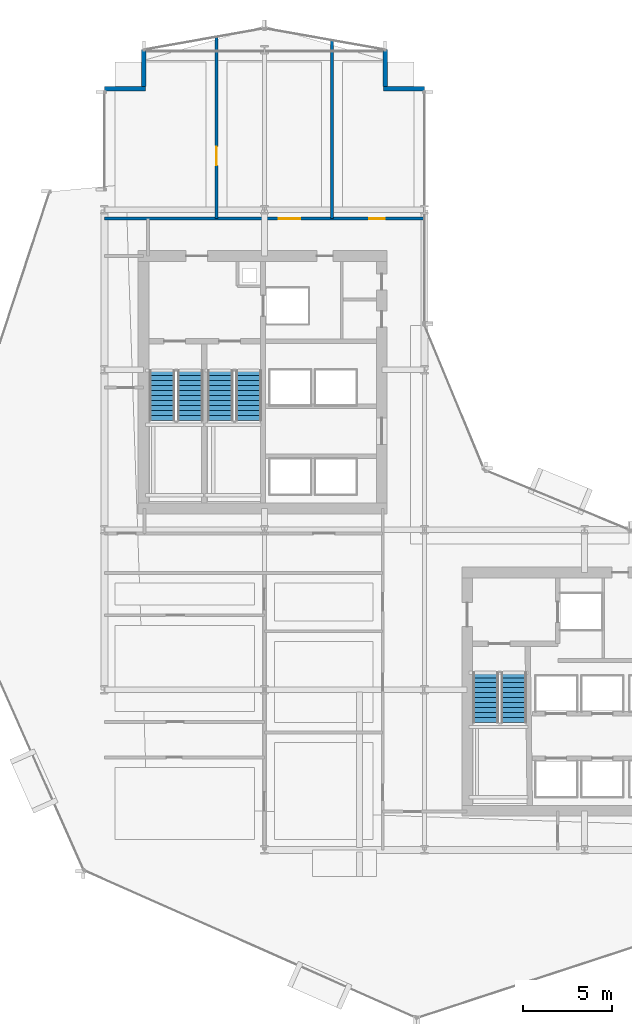
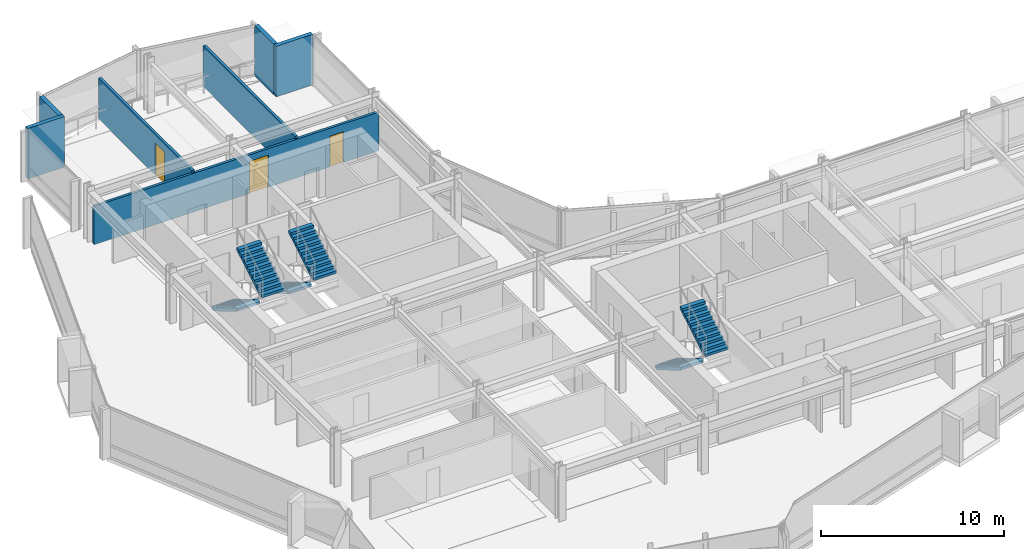
# One storey, part 30 of 35: 7 walls, 6 stair flights, 3 doors, 3 openings, 3 elements without a shape of their own.
"""IFC4 building model written with IfcOpenShell, lengths in metres."""

import ifcopenshell
import ifcopenshell.guid

model = None  # the IFC model being written
_history = None  # IfcOwnerHistory: only IFC2X3 demands one
_inside = {}  # id of a spatial element -> (the spatial element, [elements in it])
_under = {}  # id of a project, library or spatial element -> (it, [spatial elements below it])
_declared = {}  # id of a project -> (the project, [libraries it declares])
_typed = {}  # id of a type object -> (the type object, [elements of that type])
_made_of = {}  # id of a material, layer set ... -> (it, [elements and type objects made of it])


def new_model(schema):
    """Start an empty IFC model of exactly this schema.

    Asked for "IFC4X3", IfcOpenShell would pick the latest addendum, in which some entities
    have other attributes; the version numbers below select the first issue.
    IFC2X3 requires an IfcOwnerHistory on every rooted entity: one is made here for all.
    """
    global model, _history
    if schema == "IFC4X3":
        model = ifcopenshell.file(schema_version=(4, 3, 0, 0))
    else:
        model = ifcopenshell.file(schema=schema)
    _inside.clear()
    _under.clear()
    _declared.clear()
    _typed.clear()
    _made_of.clear()
    _history = None
    if model.schema == "IFC2X3":
        org = make("IfcOrganization", Name="unknown")
        user = make(
            "IfcPersonAndOrganization",
            ThePerson=make("IfcPerson", FamilyName="unknown"),
            TheOrganization=org,
        )
        app = make(
            "IfcApplication",
            ApplicationDeveloper=org,
            Version="unknown",
            ApplicationFullName="unknown",
            ApplicationIdentifier="unknown",
        )
        _history = make(
            "IfcOwnerHistory",
            OwningUser=user,
            OwningApplication=app,
            ChangeAction="ADDED",
            CreationDate=0,
        )
    return model


def make(cls, **values):
    """One entity of the class cls with the attributes given. An attribute that is None is left unset."""
    return model.create_entity(
        cls, **{name: value for name, value in values.items() if value is not None}
    )


def rooted(cls, **values):
    """An entity with a GlobalId (a new one), such as an element, a storey or a relation."""
    return make(cls, GlobalId=ifcopenshell.guid.new(), OwnerHistory=_history, **values)


def si_unit(unit_type, name, prefix=None):
    """IfcSIUnit, for example si_unit("LENGTHUNIT", "METRE", prefix="MILLI")."""
    return make("IfcSIUnit", UnitType=unit_type, Prefix=prefix, Name=name)


def assignment(units):
    """IfcUnitAssignment: the units of a project."""
    return None if units is None else make("IfcUnitAssignment", Units=units)


def point(xyz):
    """IfcCartesianPoint."""
    return None if xyz is None else make("IfcCartesianPoint", Coordinates=xyz)


def direction(xyz):
    """IfcDirection."""
    return None if xyz is None else make("IfcDirection", DirectionRatios=xyz)


def frame(location, z_axis=None, x_axis=None):
    """IfcAxis2Placement3D, a coordinate frame: its origin and axes. An axis left out is left unset."""
    return make(
        "IfcAxis2Placement3D",
        Location=point(location),
        Axis=direction(z_axis),
        RefDirection=direction(x_axis),
    )


def frame_2d(location, x_axis=None):
    """IfcAxis2Placement2D, a coordinate frame in the plane: its origin and x axis."""
    return make(
        "IfcAxis2Placement2D", Location=point(location), RefDirection=direction(x_axis)
    )


def origin():
    """The frame at (0, 0, 0) with its axes left unset."""
    return frame((0.0, 0.0, 0.0))


def place(relative_to, where):
    """IfcLocalPlacement: puts the frame where relative to a parent placement (None: the world)."""
    return make(
        "IfcLocalPlacement", PlacementRelTo=relative_to, RelativePlacement=where
    )


def context(
    kind, dimensions, precision=None, world=None, true_north=None, identifier=None
):
    """IfcGeometricRepresentationContext, for example the 3D "Model" context."""
    return make(
        "IfcGeometricRepresentationContext",
        ContextIdentifier=identifier,
        ContextType=kind,
        CoordinateSpaceDimension=dimensions,
        Precision=precision,
        WorldCoordinateSystem=world,
        TrueNorth=true_north,
    )


def subcontext(parent, identifier, kind, view, scale=None):
    """IfcGeometricRepresentationSubContext, for example "Body" below "Model"."""
    return make(
        "IfcGeometricRepresentationSubContext",
        ContextIdentifier=identifier,
        ContextType=kind,
        ParentContext=parent,
        TargetScale=scale,
        TargetView=view,
    )


def project(units=None, contexts=None):
    """IfcProject with its units and contexts."""
    return rooted(
        "IfcProject",
        Name="project",
        RepresentationContexts=contexts,
        UnitsInContext=assignment(units),
    )


def spatial(cls, under=None, at=None, **own):
    """A site, building, storey or space (cls), placed at a placement, below another one or the project."""
    s = rooted(cls, ObjectPlacement=at, **own)
    if under is not None:
        _under.setdefault(under.id(), (under, []))[1].append(s)
    return s


def polyline(points):
    """IfcPolyline through the points."""
    return make("IfcPolyline", Points=[point(p) for p in points])


def profile(cls, at=None, kind="AREA", **sizes):
    """A parametric profile (cls). Its sizes go by their IFC names, for example OverallWidth=200.0."""
    return make(cls, ProfileType=kind, Position=at, **sizes)


def rectangle(**sizes):
    """IfcRectangleProfileDef."""
    return profile("IfcRectangleProfileDef", **sizes)


def outline(outer, holes=None, kind="AREA"):
    """IfcArbitraryClosedProfileDef: a profile drawn as a closed curve; with holes, ...WithVoids."""
    if holes is None:
        return make("IfcArbitraryClosedProfileDef", ProfileType=kind, OuterCurve=outer)
    return make(
        "IfcArbitraryProfileDefWithVoids",
        ProfileType=kind,
        OuterCurve=outer,
        InnerCurves=holes,
    )


def extrude(swept, where, along, depth):
    """IfcExtrudedAreaSolid: the profile swept, set in the frame where, extruded along a direction by depth."""
    return make(
        "IfcExtrudedAreaSolid",
        SweptArea=swept,
        Position=where,
        ExtrudedDirection=direction(along),
        Depth=depth,
    )


def shape(context_of_items, identifier, shape_type, items):
    """IfcShapeRepresentation: the items that make up one representation, for example the "Body"."""
    return make(
        "IfcShapeRepresentation",
        ContextOfItems=context_of_items,
        RepresentationIdentifier=identifier,
        RepresentationType=shape_type,
        Items=items,
    )


def material(Name=None, Category=None):
    """IfcMaterial."""
    return make("IfcMaterial", Name=Name, Category=Category)


def layer(
    of_material, thickness, ventilated=None, Name=None, Category=None, Priority=None
):
    """IfcMaterialLayer: one layer of a wall or slab, of a material (None: an air gap)."""
    return make(
        "IfcMaterialLayer",
        Material=of_material,
        LayerThickness=thickness,
        IsVentilated=ventilated,
        Name=Name,
        Category=Category,
        Priority=Priority,
    )


def layer_set(layers, Name=None):
    """IfcMaterialLayerSet."""
    return make("IfcMaterialLayerSet", MaterialLayers=layers, LayerSetName=Name)


def made_of(thing, what):
    """Note that an element or type object is made of a material, layer set ...; save() writes the relation."""
    if what is not None:
        _made_of.setdefault(what.id(), (what, []))[1].append(thing)
    return thing


def type_object(cls, material=None, **own):
    """A type object (cls), such as IfcWallType, which elements share."""
    return made_of(rooted(cls, **own), material)


def element(
    cls,
    number,
    at=None,
    inside=None,
    cuts=None,
    type_object=None,
    material=None,
    context=None,
    identifier="Body",
    shape_type=None,
    held_by="IfcProductDefinitionShape",
    body=None,
    shapes=None,
    **own,
):
    """One element of the class cls, such as IfcWall. Its Tag is "e" and its number.

    at: its placement. inside: the storey or other place that contains it. cuts: it is an
    opening in that element (IfcRelVoidsElement). A single representation is given by context,
    identifier, shape_type and body (its items); several are given by shapes. held_by: the class
    of the entity that holds the representations. save() writes the other relations.
    """
    e = rooted(cls, Tag="e%d" % number, ObjectPlacement=at, **own)
    if body is not None:
        shapes = [shape(context, identifier, shape_type, body)]
    if shapes is not None:
        e.Representation = make(held_by, Representations=shapes)
    if inside is not None:
        _inside.setdefault(inside.id(), (inside, []))[1].append(e)
    if cuts is not None:
        rooted(
            "IfcRelVoidsElement", RelatingBuildingElement=cuts, RelatedOpeningElement=e
        )
    if type_object is not None:
        _typed.setdefault(type_object.id(), (type_object, []))[1].append(e)
    return made_of(e, material)


def fill(opening, filler):
    """IfcRelFillsElement: the door or window that sits in an opening."""
    return rooted(
        "IfcRelFillsElement",
        RelatingOpeningElement=opening,
        RelatedBuildingElement=filler,
    )


def aggregate(whole, parts):
    """IfcRelAggregates: a whole, such as a stair, and the parts it consists of."""
    return rooted("IfcRelAggregates", RelatingObject=whole, RelatedObjects=parts)


def save(model, path):
    """Write the relations noted so far, then the file.

    IfcRelAggregates (storeys below a building ...), IfcRelContainedInSpatialStructure (elements
    in a storey), IfcRelDefinesByType, IfcRelAssociatesMaterial and IfcRelDeclares: one each for
    every whole, place, type object, material and project.
    """
    for whole, parts in _under.values():
        aggregate(whole, parts)
    for where, things in _inside.values():
        rooted(
            "IfcRelContainedInSpatialStructure",
            RelatedElements=things,
            RelatingStructure=where,
        )
    for kind, things in _typed.values():
        rooted("IfcRelDefinesByType", RelatedObjects=things, RelatingType=kind)
    for what, things in _made_of.values():
        rooted("IfcRelAssociatesMaterial", RelatedObjects=things, RelatingMaterial=what)
    for by, libraries in _declared.values():
        rooted("IfcRelDeclares", RelatingContext=by, RelatedDefinitions=libraries)
    model.write(path)


model = new_model("IFC4")

# Units and contexts
model_context = context("Model", 3, precision=1e-05, world=origin(), true_north=direction((0.0, 1.0)))
body_context = subcontext(model_context, "Body", "Model", "MODEL_VIEW")
ifc_project = project(units=[si_unit("LENGTHUNIT", "METRE"), si_unit("AREAUNIT", "SQUARE_METRE"), si_unit("VOLUMEUNIT", "CUBIC_METRE"), si_unit("PLANEANGLEUNIT", "RADIAN"), si_unit("MASSUNIT", "GRAM", prefix="KILO")], contexts=[model_context])

# Site, building, storey
site_placement = place(None, origin())
site = spatial("IfcSite", under=ifc_project, at=site_placement, CompositionType="ELEMENT")
building_placement = place(site_placement, origin())
building = spatial("IfcBuilding", under=site, at=building_placement, Name="Solvaryn Broadcast Tower", CompositionType="ELEMENT")
storey_placement = place(building_placement, frame((0.0, 0.0, 80.39990234375)))
storey = spatial("IfcBuildingStorey", under=building, at=storey_placement, Name="L19", CompositionType="ELEMENT", Elevation=80.39990234375)

# Walls
ifc_material_1 = material(Name="Concrete f'c 50 MPa", Category="concrete")
ifc_layer_1 = layer(ifc_material_1, 0.260009765625)
ifc_layer_set_1 = layer_set([ifc_layer_1], Name="EW-PIER-260")
wall_type_1 = type_object("IfcWallType", Name="EW-PIER-260", PredefinedType="SOLIDWALL", material=ifc_layer_set_1)
wall_1_placement = place(storey_placement, frame((9.0, 51.800048828125, 0.0), z_axis=(0.0, 0.0, 1.0), x_axis=(1.0, 0.0, 0.0)))
element("IfcWall", 1, at=wall_1_placement, inside=storey, type_object=wall_type_1, Name="L19 Notched Corner Pier Wall NNW1", PredefinedType="SOLIDWALL", context=body_context, shape_type="SweptSolid", body=[
    extrude(rectangle(XDim=2.320068359375, YDim=0.260009765625, at=frame_2d((1.16015625, 0.0))), origin(), (0.0, 0.0, 1.0), 3.3701171875),
])
for number, where, z_axis, x_axis, name in (
    (2, (11.199951171875, 51.919921875, 0.0), (0.0, 0.0, 1.0), (0.0, 1.0, 0.0), "L19 Notched Corner Pier Wall NNW2"),
    (3, (24.800048828125, 54.0, 0.0), (0.0, 0.0, 1.0), (0.0, -1.0, 0.0), "L19 Notched Corner Pier Wall NNE1"),
):
    element("IfcWall", number, at=place(storey_placement, frame(where, z_axis=z_axis, x_axis=x_axis)), inside=storey, type_object=wall_type_1, Name=name, PredefinedType="SOLIDWALL", context=body_context, shape_type="SweptSolid", body=[
        extrude(rectangle(XDim=2.080078125, YDim=0.260009765625, at=frame_2d((1.0400390625, 0.0))), origin(), (0.0, 0.0, 1.0), 3.3701171875),
    ])
wall_2_placement = place(storey_placement, frame((24.679931640625, 51.800048828125, 0.0), z_axis=(0.0, 0.0, 1.0), x_axis=(1.0, 0.0, 0.0)))
element("IfcWall", 4, at=wall_2_placement, inside=storey, type_object=wall_type_1, Name="L19 Notched Corner Pier Wall NNE2", PredefinedType="SOLIDWALL", context=body_context, shape_type="SweptSolid", body=[
    extrude(rectangle(XDim=2.320068359375, YDim=0.260009765625, at=frame_2d((1.16015625, 0.0))), origin(), (0.0, 0.0, 1.0), 3.3701171875),
])

# Wall, openings, doors
ifc_material_2 = material(Name="Metal-Stud Gypsum Office Partition")
ifc_layer_2 = layer(ifc_material_2, 0.159912109375)
ifc_layer_set_2 = layer_set([ifc_layer_2], Name="IW-PART-160")
wall_type_2 = type_object("IfcWallType", Name="IW-PART-160", PredefinedType="PARTITIONING", material=ifc_layer_set_2)
wall_3_placement = place(storey_placement, frame((9.0, 44.5, 0.0), z_axis=(0.0, 0.0, 1.0), x_axis=(1.0, 0.0, 0.0)))
wall_3 = element("IfcWall", 5, at=wall_3_placement, inside=storey, type_object=wall_type_2, Name="L19 Interior Partition IW-L19-NW-SB", PredefinedType="PARTITIONING", context=body_context, shape_type="SweptSolid", body=[
    extrude(rectangle(XDim=18.0, YDim=0.159912109375, at=frame_2d((9.0, 0.0))), origin(), (0.0, 0.0, 1.0), 2.5771484375),
])
opening_1_placement = place(wall_3_placement, frame((9.800048828125, 0.0, 0.0)))
opening_1 = element("IfcOpeningElement", 6, at=opening_1_placement, cuts=wall_3, Name="Opening ID04", PredefinedType="OPENING", context=body_context, shape_type="SweptSolid", body=[
    extrude(rectangle(XDim=1.199951171875, YDim=2.14990234375, at=frame_2d((0.60009765625, 1.074951171875))), frame((0.0, 0.090087890625, 0.0), z_axis=(0.0, -1.0, 0.0), x_axis=(1.0, 0.0, 0.0)), (0.0, 0.0, 1.0), 0.179931640625),
])
opening_2_placement = place(wall_3_placement, frame((14.89990234375, 0.0, 0.0)))
opening_2 = element("IfcOpeningElement", 7, at=opening_2_placement, cuts=wall_3, Name="Opening ID07", PredefinedType="OPENING", context=body_context, shape_type="SweptSolid", body=[
    extrude(rectangle(XDim=0.860107421875, YDim=2.050048828125, at=frame_2d((0.43017578125, 1.02490234375))), frame((0.0, 0.090087890625, 0.0), z_axis=(0.0, -1.0, 0.0), x_axis=(1.0, 0.0, 0.0)), (0.0, 0.0, 1.0), 0.179931640625),
])
ifc_material_3 = material(Name="Flush Acoustic Steel and Timber Door Assembly", Category="steel")
door_type_1 = type_object("IfcDoorType", Name="ID-04-1200X2150", OperationType="NOTDEFINED", PredefinedType="DOOR", material=ifc_material_3)
door_1_placement = place(opening_1_placement, origin())
door_1 = element("IfcDoor", 8, at=door_1_placement, inside=storey, type_object=door_type_1, Name="L19 Door DR-L19-NW-2", OperationType="SINGLE_SWING_LEFT", OverallHeight=2.14990234375, OverallWidth=1.199951171875, PredefinedType="DOOR", context=body_context, shape_type="SweptSolid", body=[
    extrude(rectangle(XDim=1.199951171875, YDim=2.14990234375, at=frame_2d((0.60009765625, 1.074951171875))), frame((0.0, 0.02490234375, 0.0), z_axis=(0.0, -1.0, 0.0), x_axis=(1.0, 0.0, 0.0)), (0.0, 0.0, 1.0), 0.050048828125),
])
fill(opening_1, door_1)
ifc_material_4 = material(Name="Flush Acoustic Steel and Timber Door Assembly", Category="steel")
door_type_2 = type_object("IfcDoorType", Name="ID-07-860X2050", OperationType="NOTDEFINED", PredefinedType="DOOR", material=ifc_material_4)
door_2_placement = place(opening_2_placement, origin())
door_2 = element("IfcDoor", 9, at=door_2_placement, inside=storey, type_object=door_type_2, Name="L19 Door DR-L19-NW-3", OperationType="SINGLE_SWING_RIGHT", OverallHeight=2.050048828125, OverallWidth=0.860107421875, PredefinedType="DOOR", context=body_context, shape_type="SweptSolid", body=[
    extrude(rectangle(XDim=0.860107421875, YDim=2.050048828125, at=frame_2d((0.43017578125, 1.02490234375))), frame((0.0, 0.02490234375, 0.0), z_axis=(0.0, -1.0, 0.0), x_axis=(1.0, 0.0, 0.0)), (0.0, 0.0, 1.0), 0.050048828125),
])
fill(opening_2, door_2)

# Wall, opening, door
wall_4_placement = place(storey_placement, frame((15.300048828125, 44.5, 0.0), z_axis=(0.0, 0.0, 1.0), x_axis=(0.0, 1.0, 0.0)))
wall_4 = element("IfcWall", 10, at=wall_4_placement, inside=storey, type_object=wall_type_2, Name="L19 Interior Partition IW-L19-NW-V1", PredefinedType="PARTITIONING", context=body_context, shape_type="SweptSolid", body=[
    extrude(rectangle(XDim=10.22412109375, YDim=0.159912109375, at=frame_2d((5.112060546875, 0.0))), origin(), (0.0, 0.0, 1.0), 2.739013671875),
])
opening_3_placement = place(wall_4_placement, frame((3.0, 0.0, 0.0)))
opening_3 = element("IfcOpeningElement", 11, at=opening_3_placement, cuts=wall_4, Name="Opening ID03", PredefinedType="OPENING", context=body_context, shape_type="SweptSolid", body=[
    extrude(rectangle(XDim=1.050048828125, YDim=2.14990234375, at=frame_2d((0.52490234375, 1.074951171875))), frame((0.0, 0.090087890625, 0.0), z_axis=(0.0, -1.0, 0.0), x_axis=(1.0, 0.0, 0.0)), (0.0, 0.0, 1.0), 0.179931640625),
])
ifc_material_5 = material(Name="Flush Acoustic Steel and Timber Door Assembly", Category="steel")
door_type_3 = type_object("IfcDoorType", Name="ID-03-1050X2150", OperationType="NOTDEFINED", PredefinedType="DOOR", material=ifc_material_5)
door_3_placement = place(opening_3_placement, origin())
door_3 = element("IfcDoor", 12, at=door_3_placement, inside=storey, type_object=door_type_3, Name="L19 Door DR-L19-NW-C1", OperationType="SINGLE_SWING_RIGHT", OverallHeight=2.14990234375, OverallWidth=1.050048828125, PredefinedType="DOOR", context=body_context, shape_type="SweptSolid", body=[
    extrude(rectangle(XDim=1.050048828125, YDim=2.14990234375, at=frame_2d((0.52490234375, 1.074951171875))), frame((0.0, 0.02490234375, 0.0), z_axis=(0.0, -1.0, 0.0), x_axis=(1.0, 0.0, 0.0)), (0.0, 0.0, 1.0), 0.050048828125),
])
fill(opening_3, door_3)

# Wall
wall_5_placement = place(storey_placement, frame((21.800048828125, 44.5, 0.0), z_axis=(0.0, 0.0, 1.0), x_axis=(0.0, 1.0, 0.0)))
element("IfcWall", 13, at=wall_5_placement, inside=storey, type_object=wall_type_2, Name="L19 Interior Partition IW-L19-NW-V2", PredefinedType="PARTITIONING", context=body_context, shape_type="SweptSolid", body=[
    extrude(rectangle(XDim=10.029052734375, YDim=0.159912109375, at=frame_2d((5.0146484375, 0.0))), origin(), (0.0, 0.0, 1.0), 2.739013671875),
])

# Stair, stair flights
ifc_material_6 = material(Name="Concrete f'c 60 MPa", Category="concrete")
stair_type = type_object("IfcStairType", Name="ST-CORE", PredefinedType="HALF_TURN_STAIR", material=ifc_material_6)
stair_1_placement = place(storey_placement, origin())
stair_1 = element("IfcStair", 14, at=stair_1_placement, inside=storey, type_object=stair_type, Name="L19 ST1", PredefinedType="HALF_TURN_STAIR")
ifc_material_7 = material(Name="Concrete f'c 60 MPa", Category="concrete")
ifc_layer_3 = layer(ifc_material_7, 0.159912109375)
ifc_layer_set_3 = layer_set([ifc_layer_3], Name="SF-CORE")
stair_flight_type = type_object("IfcStairFlightType", Name="SF-CORE", PredefinedType="STRAIGHT", material=ifc_layer_set_3)
stair_flight_1_placement = place(storey_placement, frame((12.239990234375, 35.9599609375, 0.0), z_axis=(0.0, 0.0, 1.0), x_axis=(0.0, -1.0, 0.0)))
stair_flight_1 = element("IfcStairFlight", 15, at=stair_flight_1_placement, type_object=stair_flight_type, Name="ST1 flight 1", NumberOfRisers=11, NumberOfTreads=10, PredefinedType="STRAIGHT", RiserHeight=0.168181818, TreadLength=0.28, context=body_context, shape_type="SweptSolid", body=[
    extrude(outline(polyline([(0.0, 0.0), (0.0, 0.168212890625), (0.280029296875, 0.168212890625), (0.280029296875, 0.33642578125), (0.56005859375, 0.33642578125), (0.56005859375, 0.504638671875), (0.840087890625, 0.504638671875), (0.840087890625, 0.672607421875), (1.1201171875, 0.672607421875), (1.1201171875, 0.8408203125), (1.39990234375, 0.8408203125), (1.39990234375, 1.009033203125), (1.679931640625, 1.009033203125), (1.679931640625, 1.17724609375), (1.9599609375, 1.17724609375), (1.9599609375, 1.345458984375), (2.239990234375, 1.345458984375), (2.239990234375, 1.513671875), (2.52001953125, 1.513671875), (2.52001953125, 1.681884765625), (2.800048828125, 1.681884765625), (2.800048828125, 1.85009765625), (2.800048828125, 1.5068359375), (0.291015625, 0.0), (0.0, 0.0)])), frame((0.0, 0.719970703125, 0.0), z_axis=(0.0, -1.0, 0.0), x_axis=(1.0, 0.0, 0.0)), (0.0, 0.0, 1.0), 1.43994140625),
])
stair_flight_2_placement = place(storey_placement, frame((13.830078125, 33.159912109375, 1.85009765625), z_axis=(0.0, 0.0, 1.0), x_axis=(0.0, 1.0, 0.0)))
stair_flight_2 = element("IfcStairFlight", 16, at=stair_flight_2_placement, type_object=stair_flight_type, Name="ST1 flight 2", NumberOfRisers=11, NumberOfTreads=10, PredefinedType="STRAIGHT", RiserHeight=0.168181818, TreadLength=0.28, context=body_context, shape_type="SweptSolid", body=[
    extrude(outline(polyline([(0.0, 0.0), (0.0, 0.168212890625), (0.280029296875, 0.168212890625), (0.280029296875, 0.33642578125), (0.56005859375, 0.33642578125), (0.56005859375, 0.504638671875), (0.840087890625, 0.504638671875), (0.840087890625, 0.672607421875), (1.1201171875, 0.672607421875), (1.1201171875, 0.8408203125), (1.39990234375, 0.8408203125), (1.39990234375, 1.009033203125), (1.679931640625, 1.009033203125), (1.679931640625, 1.17724609375), (1.9599609375, 1.17724609375), (1.9599609375, 1.345458984375), (2.239990234375, 1.345458984375), (2.239990234375, 1.513671875), (2.52001953125, 1.513671875), (2.52001953125, 1.681884765625), (2.800048828125, 1.681884765625), (2.800048828125, 1.85009765625), (2.800048828125, 1.5068359375), (0.291015625, 0.0), (0.0, 0.0)])), frame((0.0, 0.719970703125, 0.0), z_axis=(0.0, -1.0, 0.0), x_axis=(1.0, 0.0, 0.0)), (0.0, 0.0, 1.0), 1.43994140625),
])
aggregate(stair_1, [stair_flight_1, stair_flight_2])

stair_2_placement = place(storey_placement, origin())
stair_2 = element("IfcStair", 17, at=stair_2_placement, inside=storey, type_object=stair_type, Name="L19 ST2", PredefinedType="HALF_TURN_STAIR")
stair_flight_3_placement = place(storey_placement, frame((15.52001953125, 35.9599609375, 0.0), z_axis=(0.0, 0.0, 1.0), x_axis=(0.0, -1.0, 0.0)))
stair_flight_3 = element("IfcStairFlight", 18, at=stair_flight_3_placement, type_object=stair_flight_type, Name="ST2 flight 1", NumberOfRisers=11, NumberOfTreads=10, PredefinedType="STRAIGHT", RiserHeight=0.168181818, TreadLength=0.28, context=body_context, shape_type="SweptSolid", body=[
    extrude(outline(polyline([(0.0, 0.0), (0.0, 0.168212890625), (0.280029296875, 0.168212890625), (0.280029296875, 0.33642578125), (0.56005859375, 0.33642578125), (0.56005859375, 0.504638671875), (0.840087890625, 0.504638671875), (0.840087890625, 0.672607421875), (1.1201171875, 0.672607421875), (1.1201171875, 0.8408203125), (1.39990234375, 0.8408203125), (1.39990234375, 1.009033203125), (1.679931640625, 1.009033203125), (1.679931640625, 1.17724609375), (1.9599609375, 1.17724609375), (1.9599609375, 1.345458984375), (2.239990234375, 1.345458984375), (2.239990234375, 1.513671875), (2.52001953125, 1.513671875), (2.52001953125, 1.681884765625), (2.800048828125, 1.681884765625), (2.800048828125, 1.85009765625), (2.800048828125, 1.5068359375), (0.291015625, 0.0), (0.0, 0.0)])), frame((0.0, 0.719970703125, 0.0), z_axis=(0.0, -1.0, 0.0), x_axis=(1.0, 0.0, 0.0)), (0.0, 0.0, 1.0), 1.43994140625),
])
stair_flight_4_placement = place(storey_placement, frame((17.110107421875, 33.159912109375, 1.85009765625), z_axis=(0.0, 0.0, 1.0), x_axis=(0.0, 1.0, 0.0)))
stair_flight_4 = element("IfcStairFlight", 19, at=stair_flight_4_placement, type_object=stair_flight_type, Name="ST2 flight 2", NumberOfRisers=11, NumberOfTreads=10, PredefinedType="STRAIGHT", RiserHeight=0.168181818, TreadLength=0.28, context=body_context, shape_type="SweptSolid", body=[
    extrude(outline(polyline([(0.0, 0.0), (0.0, 0.168212890625), (0.280029296875, 0.168212890625), (0.280029296875, 0.33642578125), (0.56005859375, 0.33642578125), (0.56005859375, 0.504638671875), (0.840087890625, 0.504638671875), (0.840087890625, 0.672607421875), (1.1201171875, 0.672607421875), (1.1201171875, 0.8408203125), (1.39990234375, 0.8408203125), (1.39990234375, 1.009033203125), (1.679931640625, 1.009033203125), (1.679931640625, 1.17724609375), (1.9599609375, 1.17724609375), (1.9599609375, 1.345458984375), (2.239990234375, 1.345458984375), (2.239990234375, 1.513671875), (2.52001953125, 1.513671875), (2.52001953125, 1.681884765625), (2.800048828125, 1.681884765625), (2.800048828125, 1.85009765625), (2.800048828125, 1.5068359375), (0.291015625, 0.0), (0.0, 0.0)])), frame((0.0, 0.719970703125, 0.0), z_axis=(0.0, -1.0, 0.0), x_axis=(1.0, 0.0, 0.0)), (0.0, 0.0, 1.0), 1.43994140625),
])
aggregate(stair_2, [stair_flight_3, stair_flight_4])

stair_3_placement = place(storey_placement, origin())
stair_3 = element("IfcStair", 20, at=stair_3_placement, inside=storey, type_object=stair_type, Name="L19 ST3", PredefinedType="HALF_TURN_STAIR")
stair_flight_5_placement = place(storey_placement, frame((30.43994140625, 18.9599609375, 0.0), z_axis=(0.0, 0.0, 1.0), x_axis=(0.0, -1.0, 0.0)))
stair_flight_5 = element("IfcStairFlight", 21, at=stair_flight_5_placement, type_object=stair_flight_type, Name="ST3 flight 1", NumberOfRisers=11, NumberOfTreads=10, PredefinedType="STRAIGHT", RiserHeight=0.168181818, TreadLength=0.28, context=body_context, shape_type="SweptSolid", body=[
    extrude(outline(polyline([(0.0, 0.0), (0.0, 0.168212890625), (0.280029296875, 0.168212890625), (0.280029296875, 0.33642578125), (0.56005859375, 0.33642578125), (0.56005859375, 0.504638671875), (0.840087890625, 0.504638671875), (0.840087890625, 0.672607421875), (1.1201171875, 0.672607421875), (1.1201171875, 0.8408203125), (1.39990234375, 0.8408203125), (1.39990234375, 1.009033203125), (1.679931640625, 1.009033203125), (1.679931640625, 1.17724609375), (1.9599609375, 1.17724609375), (1.9599609375, 1.345458984375), (2.239990234375, 1.345458984375), (2.239990234375, 1.513671875), (2.52001953125, 1.513671875), (2.52001953125, 1.681884765625), (2.800048828125, 1.681884765625), (2.800048828125, 1.85009765625), (2.800048828125, 1.5068359375), (0.291015625, 0.0), (0.0, 0.0)])), frame((0.0, 0.719970703125, 0.0), z_axis=(0.0, -1.0, 0.0), x_axis=(1.0, 0.0, 0.0)), (0.0, 0.0, 1.0), 1.43994140625),
])
stair_flight_6_placement = place(storey_placement, frame((32.030029296875, 16.159912109375, 1.85009765625), z_axis=(0.0, 0.0, 1.0), x_axis=(0.0, 1.0, 0.0)))
stair_flight_6 = element("IfcStairFlight", 22, at=stair_flight_6_placement, type_object=stair_flight_type, Name="ST3 flight 2", NumberOfRisers=11, NumberOfTreads=10, PredefinedType="STRAIGHT", RiserHeight=0.168181818, TreadLength=0.28, context=body_context, shape_type="SweptSolid", body=[
    extrude(outline(polyline([(0.0, 0.0), (0.0, 0.168212890625), (0.280029296875, 0.168212890625), (0.280029296875, 0.33642578125), (0.56005859375, 0.33642578125), (0.56005859375, 0.504638671875), (0.840087890625, 0.504638671875), (0.840087890625, 0.672607421875), (1.1201171875, 0.672607421875), (1.1201171875, 0.8408203125), (1.39990234375, 0.8408203125), (1.39990234375, 1.009033203125), (1.679931640625, 1.009033203125), (1.679931640625, 1.17724609375), (1.9599609375, 1.17724609375), (1.9599609375, 1.345458984375), (2.239990234375, 1.345458984375), (2.239990234375, 1.513671875), (2.52001953125, 1.513671875), (2.52001953125, 1.681884765625), (2.800048828125, 1.681884765625), (2.800048828125, 1.85009765625), (2.800048828125, 1.5068359375), (0.291015625, 0.0), (0.0, 0.0)])), frame((0.0, 0.719970703125, 0.0), z_axis=(0.0, -1.0, 0.0), x_axis=(1.0, 0.0, 0.0)), (0.0, 0.0, 1.0), 1.43994140625),
])
aggregate(stair_3, [stair_flight_5, stair_flight_6])

save(model, "model.ifc")
